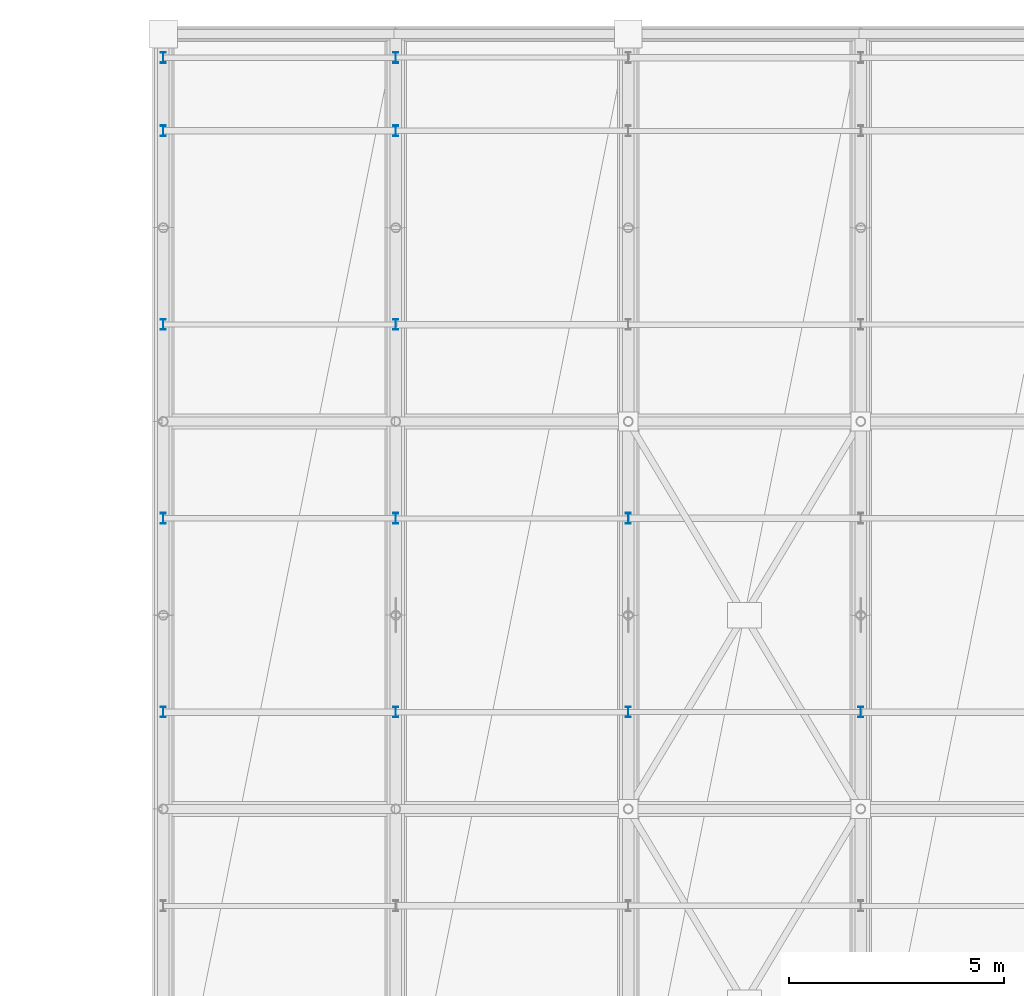
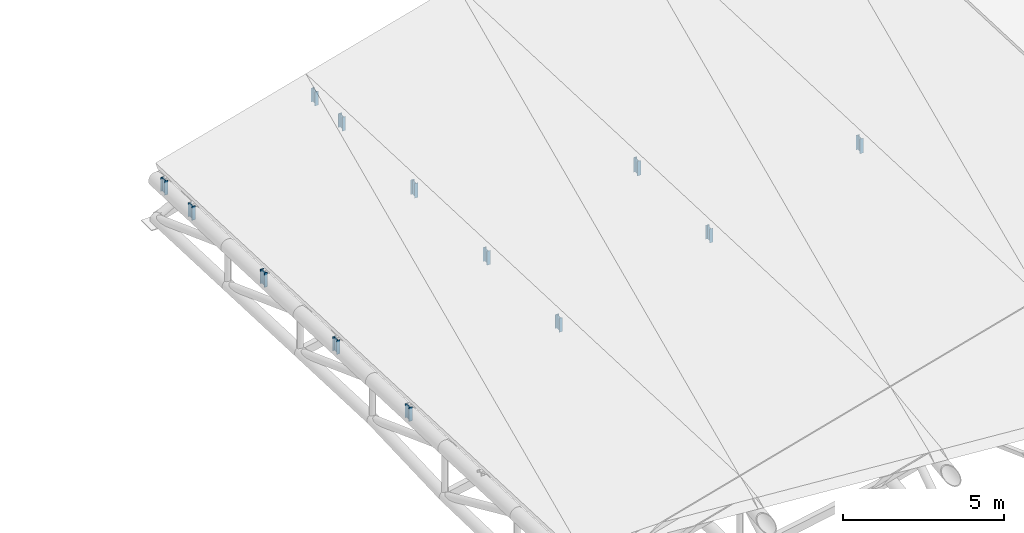
# One storey, part 65 of 109: 13 members.
"""IFC4 building model written with IfcOpenShell, lengths in metres."""

from ifc_helpers import new_model, si_unit, direction, frame, origin, origin_2d, place, context, subcontext, project, spatial, i_section, extrude, material, material_profile, profile_set, type_object, element, save


model = new_model("IFC4")

# Units and contexts
model_context = context("Model", 3, precision=1e-05, world=origin(), true_north=direction((0.0, 1.0)))
body_context = subcontext(model_context, "Body", "Model", "MODEL_VIEW")
ifc_project = project(units=[si_unit("LENGTHUNIT", "METRE"), si_unit("AREAUNIT", "SQUARE_METRE"), si_unit("VOLUMEUNIT", "CUBIC_METRE"), si_unit("PLANEANGLEUNIT", "RADIAN"), si_unit("MASSUNIT", "GRAM", prefix="KILO")], contexts=[model_context])

# Site, building, storey
site_placement = place(None, origin())
site = spatial("IfcSite", under=ifc_project, at=site_placement, CompositionType="ELEMENT")
building_placement = place(site_placement, origin())
building = spatial("IfcBuilding", under=site, at=building_placement, Name="Suirenkawa Promenade Aquatics Centre", CompositionType="ELEMENT")
storey_placement = place(building_placement, frame((0.0, 0.0, 22.800048828125)))
storey = spatial("IfcBuildingStorey", under=building, at=storey_placement, Name="ROOF", CompositionType="ELEMENT", Elevation=22.800048828125)

# Members
ifc_material = material(Name="Steel IS 2062 E350 (Grade 350)", Category="steel")
ifc_material_profile = material_profile(ifc_material, i_section(OverallWidth=0.125, OverallDepth=0.25, WebThickness=0.007080078125, FlangeThickness=0.012939453125, at=origin_2d()), Name="ISMB 250", Category="steel")
ifc_profile_set = profile_set([ifc_material_profile], Name="Steel IS 2062 E350 (Grade 350)")
member_type = type_object("IfcMemberType", Name="MT-WEB-CHS168", PredefinedType="BRACE", material=ifc_profile_set)
for number, where, z_axis, x_axis, name in (
    (1, (46.800048828125, 106.64990234375, -9.8779296875), (0.0, 0.0, 1.0), (1.0, 0.0, 0.0), "ROOF TRUSS Purlin cleat post TD-03 MB-1709"),
    (2, (52.199951171875, 106.64990234375, -8.3779296875), (0.0, 0.0, 1.0), (1.0, 0.0, 0.0), "ROOF TRUSS Purlin cleat post TD-03 MB-1710"),
):
    element("IfcMember", number, at=place(storey_placement, frame(where, z_axis=z_axis, x_axis=x_axis)), inside=storey, type_object=member_type, Name=name, PredefinedType="BRACE", context=body_context, shape_type="SweptSolid", body=[
        extrude(i_section(OverallWidth=0.125, OverallDepth=0.25, WebThickness=0.007080078125, FlangeThickness=0.012939453125, at=origin_2d()), origin(), (0.0, 0.0, 1.0), 0.52685546875),
    ])
for number, where, z_axis, x_axis, name in (
    (3, (46.800048828125, 111.14990234375, -10.06201171875), (0.0, 0.0, 1.0), (1.0, 0.0, 0.0), "ROOF TRUSS Purlin cleat post TD-03 MB-1712"),
    (4, (52.199951171875, 111.14990234375, -8.56201171875), (0.0, 0.0, 1.0), (1.0, 0.0, 0.0), "ROOF TRUSS Purlin cleat post TD-03 MB-1713"),
):
    element("IfcMember", number, at=place(storey_placement, frame(where, z_axis=z_axis, x_axis=x_axis)), inside=storey, type_object=member_type, Name=name, PredefinedType="BRACE", context=body_context, shape_type="SweptSolid", body=[
        extrude(i_section(OverallWidth=0.125, OverallDepth=0.25, WebThickness=0.007080078125, FlangeThickness=0.012939453125, at=origin_2d()), origin(), (0.0, 0.0, 1.0), 0.529052734375),
    ])
for number, where, z_axis, x_axis, name in (
    (5, (46.800048828125, 115.64990234375, -10.2451171875), (0.0, 0.0, 1.0), (1.0, 0.0, 0.0), "ROOF TRUSS Purlin cleat post TD-03 MB-1715"),
    (6, (52.199951171875, 115.64990234375, -8.7451171875), (0.0, 0.0, 1.0), (1.0, 0.0, 0.0), "ROOF TRUSS Purlin cleat post TD-03 MB-1716"),
):
    element("IfcMember", number, at=place(storey_placement, frame(where, z_axis=z_axis, x_axis=x_axis)), inside=storey, type_object=member_type, Name=name, PredefinedType="BRACE", context=body_context, shape_type="SweptSolid", body=[
        extrude(i_section(OverallWidth=0.125, OverallDepth=0.25, WebThickness=0.007080078125, FlangeThickness=0.012939453125, at=origin_2d()), origin(), (0.0, 0.0, 1.0), 0.552978515625),
    ])
for number, where, z_axis, x_axis, name in (
    (7, (46.800048828125, 120.14990234375, -10.427978515625), (0.0, 0.0, 1.0), (1.0, 0.0, 0.0), "ROOF TRUSS Purlin cleat post TD-03 MB-1718"),
    (8, (52.199951171875, 120.14990234375, -8.927978515625), (0.0, 0.0, 1.0), (1.0, 0.0, 0.0), "ROOF TRUSS Purlin cleat post TD-03 MB-1719"),
):
    element("IfcMember", number, at=place(storey_placement, frame(where, z_axis=z_axis, x_axis=x_axis)), inside=storey, type_object=member_type, Name=name, PredefinedType="BRACE", context=body_context, shape_type="SweptSolid", body=[
        extrude(i_section(OverallWidth=0.125, OverallDepth=0.25, WebThickness=0.007080078125, FlangeThickness=0.012939453125, at=origin_2d()), origin(), (0.0, 0.0, 1.0), 0.52685546875),
    ])
for number, where, z_axis, x_axis, name in (
    (9, (46.800048828125, 121.85009765625, -10.498046875), (0.0, 0.0, 1.0), (1.0, 0.0, 0.0), "ROOF TRUSS Purlin cleat post TD-03 MB-1721"),
    (10, (52.199951171875, 121.85009765625, -8.998046875), (0.0, 0.0, 1.0), (1.0, 0.0, 0.0), "ROOF TRUSS Purlin cleat post TD-03 MB-1722"),
):
    element("IfcMember", number, at=place(storey_placement, frame(where, z_axis=z_axis, x_axis=x_axis)), inside=storey, type_object=member_type, Name=name, PredefinedType="BRACE", context=body_context, shape_type="SweptSolid", body=[
        extrude(i_section(OverallWidth=0.125, OverallDepth=0.25, WebThickness=0.007080078125, FlangeThickness=0.012939453125, at=origin_2d()), origin(), (0.0, 0.0, 1.0), 0.529052734375),
    ])
member_1_placement = place(storey_placement, frame((57.60009765625, 106.64990234375, -6.8779296875), z_axis=(0.0, 0.0, 1.0), x_axis=(1.0, 0.0, 0.0)))
element("IfcMember", 11, at=member_1_placement, inside=storey, type_object=member_type, Name="ROOF TRUSS Purlin cleat post TD-03 MB-1750", PredefinedType="BRACE", context=body_context, shape_type="SweptSolid", body=[
    extrude(i_section(OverallWidth=0.125, OverallDepth=0.25, WebThickness=0.007080078125, FlangeThickness=0.012939453125, at=origin_2d()), origin(), (0.0, 0.0, 1.0), 0.52783203125),
])
member_2_placement = place(storey_placement, frame((57.60009765625, 111.14990234375, -7.06201171875), z_axis=(0.0, 0.0, 1.0), x_axis=(1.0, 0.0, 0.0)))
element("IfcMember", 12, at=member_2_placement, inside=storey, type_object=member_type, Name="ROOF TRUSS Purlin cleat post TD-03 MB-1752", PredefinedType="BRACE", context=body_context, shape_type="SweptSolid", body=[
    extrude(i_section(OverallWidth=0.125, OverallDepth=0.25, WebThickness=0.007080078125, FlangeThickness=0.012939453125, at=origin_2d()), origin(), (0.0, 0.0, 1.0), 0.553955078125),
])
member_3_placement = place(storey_placement, frame((63.0, 106.64990234375, -5.3779296875), z_axis=(0.0, 0.0, 1.0), x_axis=(1.0, 0.0, 0.0)))
element("IfcMember", 13, at=member_3_placement, inside=storey, type_object=member_type, Name="ROOF TRUSS Purlin cleat post TD-03 MB-1786", PredefinedType="BRACE", context=body_context, shape_type="SweptSolid", body=[
    extrude(i_section(OverallWidth=0.125, OverallDepth=0.25, WebThickness=0.007080078125, FlangeThickness=0.012939453125, at=origin_2d()), origin(), (0.0, 0.0, 1.0), 0.552978515625),
])

save(model, "model.ifc")
